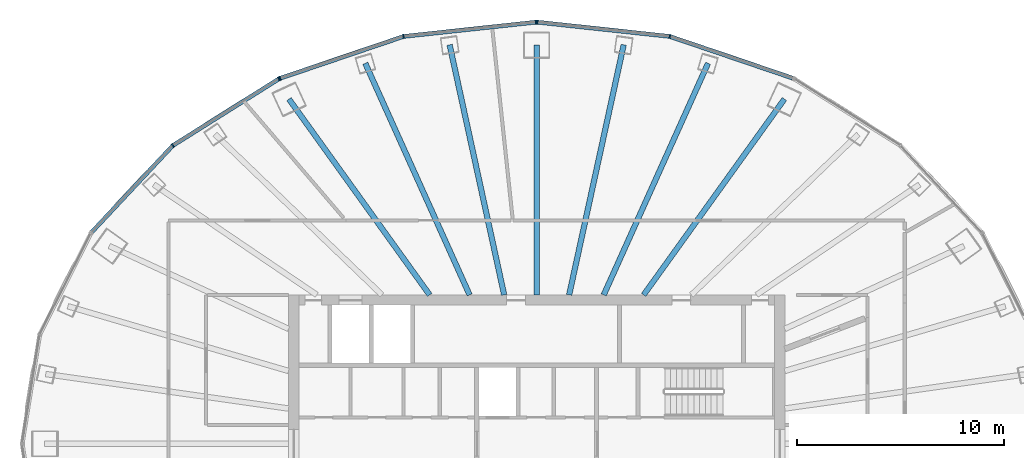
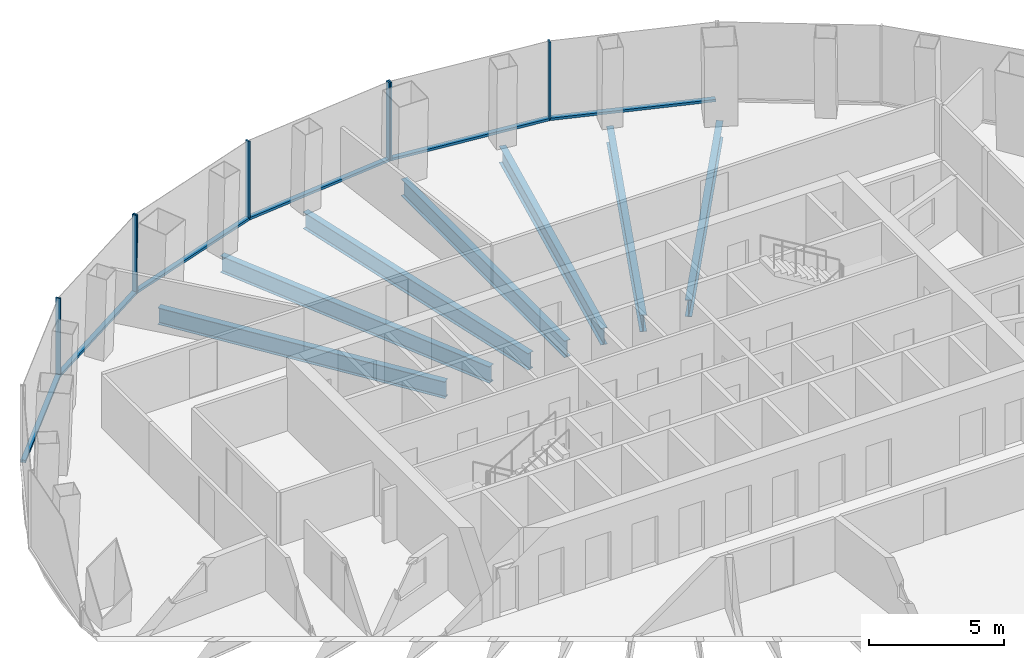
# One storey, part 5 of 12: 13 members, 7 beams, 3 elements without a shape of their own.
"""IFC4 building model written with IfcOpenShell, lengths in metres."""

from ifc_helpers import new_model, si_unit, direction, frame, origin, origin_2d, place, context, subcontext, project, spatial, rectangle, i_section, extrude, material, layer, layer_set, material_profile, profile_set, type_object, element, aggregate, save


model = new_model("IFC4")

# Units and contexts
model_context = context("Model", 3, precision=1e-05, world=origin(), true_north=direction((0.0, 1.0)))
body_context = subcontext(model_context, "Body", "Model", "MODEL_VIEW")
ifc_project = project(units=[si_unit("LENGTHUNIT", "METRE"), si_unit("AREAUNIT", "SQUARE_METRE"), si_unit("VOLUMEUNIT", "CUBIC_METRE"), si_unit("PLANEANGLEUNIT", "RADIAN"), si_unit("MASSUNIT", "GRAM", prefix="KILO")], contexts=[model_context])

# Site, building, storey
site_placement = place(None, origin())
site = spatial("IfcSite", under=ifc_project, at=site_placement, CompositionType="ELEMENT")
building_placement = place(site_placement, origin())
building = spatial("IfcBuilding", under=site, at=building_placement, Name="Siaravel Broadcast Tower", CompositionType="ELEMENT")
storey_placement = place(building_placement, frame((0.0, 0.0, 134.10009765625)))
storey = spatial("IfcBuildingStorey", under=building, at=storey_placement, Name="L32", CompositionType="ELEMENT", Elevation=134.10009765625)

# Beams
ifc_material_1 = material(Name="Steel S355", Category="steel")
ifc_material_profile_1 = material_profile(ifc_material_1, i_section(OverallWidth=0.26513671875, OverallDepth=0.75390625, WebThickness=0.0126953125, FlangeThickness=0.017578125, FilletRadius=0.0166015625, at=origin_2d()))
ifc_profile_set_1 = profile_set([ifc_material_profile_1], Name="Steel S355")
beam_type = type_object("IfcBeamType", Name="BM-UB 762x267x147", PredefinedType="BEAM", material=ifc_profile_set_1)
beam_1_placement = place(storey_placement, frame((11.980224609375, 16.669677734375, -0.527099609375), z_axis=(-0.58359636, -0.812043895, 0.0), x_axis=(0.812043895, -0.58359636, 0.0)))
element("IfcBeam", 1, at=beam_1_placement, inside=storey, type_object=beam_type, Name="Radial beam RB07", PredefinedType="BEAM", context=body_context, shape_type="SweptSolid", body=[
    extrude(i_section(OverallWidth=0.26513671875, OverallDepth=0.75390625, WebThickness=0.0126953125, FlangeThickness=0.017578125, FilletRadius=0.0166015625, at=origin_2d()), origin(), (0.0, 0.0, 1.0), 11.66162109375),
])
beam_2_placement = place(storey_placement, frame((8.2880859375, 18.39990234375, -0.527099609375), z_axis=(-0.410699345, -0.911770831, 0.0), x_axis=(0.911770831, -0.410699345, 0.0)))
element("IfcBeam", 2, at=beam_2_placement, inside=storey, type_object=beam_type, Name="Radial beam RB08", PredefinedType="BEAM", context=body_context, shape_type="SweptSolid", body=[
    extrude(i_section(OverallWidth=0.26513671875, OverallDepth=0.75390625, WebThickness=0.0126953125, FlangeThickness=0.017578125, FilletRadius=0.0166015625, at=origin_2d()), origin(), (0.0, 0.0, 1.0), 12.28369140625),
])
beam_3_placement = place(storey_placement, frame((4.209716796875, 19.294921875, -0.527099609375), z_axis=(-0.213168102, -0.977015537, 0.0), x_axis=(0.977015537, -0.213168102, 0.0)))
element("IfcBeam", 3, at=beam_3_placement, inside=storey, type_object=beam_type, Name="Radial beam RB09", PredefinedType="BEAM", context=body_context, shape_type="SweptSolid", body=[
    extrude(i_section(OverallWidth=0.26513671875, OverallDepth=0.75390625, WebThickness=0.0126953125, FlangeThickness=0.017578125, FilletRadius=0.0166015625, at=origin_2d()), origin(), (0.0, 0.0, 1.0), 12.37939453125),
])
beam_4_placement = place(storey_placement, frame((0.0, 19.296630859375, -0.527099609375), z_axis=(0.0, -1.0, 0.0), x_axis=(1.0, 0.0, 0.0)))
element("IfcBeam", 4, at=beam_4_placement, inside=storey, type_object=beam_type, Name="Radial beam RB10", PredefinedType="BEAM", context=body_context, shape_type="SweptSolid", body=[
    extrude(i_section(OverallWidth=0.26513671875, OverallDepth=0.75390625, WebThickness=0.0126953125, FlangeThickness=0.017578125, FilletRadius=0.0166015625, at=origin_2d()), origin(), (0.0, 0.0, 1.0), 12.0966796875),
])
beam_5_placement = place(storey_placement, frame((-4.209716796875, 19.294921875, -0.527099609375), z_axis=(0.213168102, -0.977015537, 0.0), x_axis=(0.977015537, 0.213168102, 0.0)))
element("IfcBeam", 5, at=beam_5_placement, inside=storey, type_object=beam_type, Name="Radial beam RB11", PredefinedType="BEAM", context=body_context, shape_type="SweptSolid", body=[
    extrude(i_section(OverallWidth=0.26513671875, OverallDepth=0.75390625, WebThickness=0.0126953125, FlangeThickness=0.017578125, FilletRadius=0.0166015625, at=origin_2d()), origin(), (0.0, 0.0, 1.0), 12.37939453125),
])
beam_6_placement = place(storey_placement, frame((-8.2880859375, 18.39990234375, -0.527099609375), z_axis=(0.410699345, -0.911770831, 0.0), x_axis=(0.911770831, 0.410699345, 0.0)))
element("IfcBeam", 6, at=beam_6_placement, inside=storey, type_object=beam_type, Name="Radial beam RB12", PredefinedType="BEAM", context=body_context, shape_type="SweptSolid", body=[
    extrude(i_section(OverallWidth=0.26513671875, OverallDepth=0.75390625, WebThickness=0.0126953125, FlangeThickness=0.017578125, FilletRadius=0.0166015625, at=origin_2d()), origin(), (0.0, 0.0, 1.0), 12.28369140625),
])
beam_7_placement = place(storey_placement, frame((-11.980224609375, 16.669677734375, -0.527099609375), z_axis=(0.58359636, -0.812043895, 0.0), x_axis=(0.812043895, 0.58359636, 0.0)))
element("IfcBeam", 7, at=beam_7_placement, inside=storey, type_object=beam_type, Name="Radial beam RB13", PredefinedType="BEAM", context=body_context, shape_type="SweptSolid", body=[
    extrude(i_section(OverallWidth=0.26513671875, OverallDepth=0.75390625, WebThickness=0.0126953125, FlangeThickness=0.017578125, FilletRadius=0.0166015625, at=origin_2d()), origin(), (0.0, 0.0, 1.0), 11.66162109375),
])

# Curtain wall, members
ifc_material_2 = material(Name="Aluminium 6063-T6", Category="aluminium")
ifc_layer = layer(ifc_material_2, 0.199951171875)
ifc_layer_set = layer_set([ifc_layer], Name="Aluminium 6063-T6")
curtain_wall_type = type_object("IfcCurtainWallType", Name="Unitised curtain wall, zone 2", PredefinedType="NOTDEFINED", material=ifc_layer_set)
curtain_wall_1_placement = place(storey_placement, origin())
curtain_wall_1 = element("IfcCurtainWall", 8, at=curtain_wall_1_placement, inside=storey, type_object=curtain_wall_type, Name="L32 Unitised curtain wall, zone 2 03", PredefinedType="NOTDEFINED")
ifc_material_profile_2 = material_profile(ifc_material_2, rectangle(XDim=0.199951171875, YDim=0.06494140625, at=origin_2d()))
ifc_profile_set_2 = profile_set([ifc_material_profile_2], Name="Aluminium 6063-T6")
member_type_1 = type_object("IfcMemberType", Name="CW-Z2 mullion", PredefinedType="MULLION", material=ifc_profile_set_2)
member_1_placement = place(storey_placement, frame((6.43896484375, 19.699951171875, 0.0), z_axis=(0.0, 0.0, 1.0), x_axis=(-0.215559096, -0.976490797, 0.0)))
member_1 = element("IfcMember", 9, at=member_1_placement, type_object=member_type_1, Name="CW-Z2 mullion 2", PredefinedType="MULLION", context=body_context, shape_type="SweptSolid", body=[
    extrude(rectangle(XDim=0.199951171875, YDim=0.06494140625, at=origin_2d()), origin(), (0.0, 0.0, 1.0), 3.5498046875),
])
member_2_placement = place(storey_placement, frame((0.0322265625, 20.390869140625, 0.0), z_axis=(0.0, 0.0, 1.0), x_axis=(-0.107218035, -0.994235532, 0.0)))
member_2 = element("IfcMember", 10, at=member_2_placement, type_object=member_type_1, Name="CW-Z2 mullion 3", PredefinedType="MULLION", context=body_context, shape_type="SweptSolid", body=[
    extrude(rectangle(XDim=0.199951171875, YDim=0.06494140625, at=origin_2d()), origin(), (0.0, 0.0, 1.0), 3.5498046875),
])

curtain_wall_2_placement = place(storey_placement, origin())
curtain_wall_2 = element("IfcCurtainWall", 11, at=curtain_wall_2_placement, inside=storey, type_object=curtain_wall_type, Name="L32 Unitised curtain wall, zone 2 04", PredefinedType="NOTDEFINED")
member_3_placement = place(storey_placement, frame((-0.0322265625, 20.390869140625, 0.0), z_axis=(0.0, 0.0, 1.0), x_axis=(0.107218035, -0.994235532, 0.0)))
member_3 = element("IfcMember", 12, at=member_3_placement, type_object=member_type_1, Name="CW-Z2 mullion 1", PredefinedType="MULLION", context=body_context, shape_type="SweptSolid", body=[
    extrude(rectangle(XDim=0.199951171875, YDim=0.06494140625, at=origin_2d()), origin(), (0.0, 0.0, 1.0), 3.5498046875),
])
member_4_placement = place(storey_placement, frame((-6.43896484375, 19.699951171875, 0.0), z_axis=(0.0, 0.0, 1.0), x_axis=(0.215559096, -0.976490797, 0.0)))
member_4 = element("IfcMember", 13, at=member_4_placement, type_object=member_type_1, Name="CW-Z2 mullion 2", PredefinedType="MULLION", context=body_context, shape_type="SweptSolid", body=[
    extrude(rectangle(XDim=0.199951171875, YDim=0.06494140625, at=origin_2d()), origin(), (0.0, 0.0, 1.0), 3.5498046875),
])
member_5_placement = place(storey_placement, frame((-12.408935546875, 17.67431640625, 0.0), z_axis=(0.0, 0.0, 1.0), x_axis=(0.321302097, -0.946976749, 0.0)))
member_5 = element("IfcMember", 14, at=member_5_placement, type_object=member_type_1, Name="CW-Z2 mullion 3", PredefinedType="MULLION", context=body_context, shape_type="SweptSolid", body=[
    extrude(rectangle(XDim=0.199951171875, YDim=0.06494140625, at=origin_2d()), origin(), (0.0, 0.0, 1.0), 3.5498046875),
])

curtain_wall_3_placement = place(storey_placement, origin())
curtain_wall_3 = element("IfcCurtainWall", 15, at=curtain_wall_3_placement, inside=storey, type_object=curtain_wall_type, Name="L32 Unitised curtain wall, zone 2 05", PredefinedType="NOTDEFINED")
member_6_placement = place(storey_placement, frame((-12.46728515625, 17.646484375, 0.0), z_axis=(0.0, 0.0, 1.0), x_axis=(0.532151141, -0.846649374, 0.0)))
member_6 = element("IfcMember", 16, at=member_6_placement, type_object=member_type_1, Name="CW-Z2 mullion 1", PredefinedType="MULLION", context=body_context, shape_type="SweptSolid", body=[
    extrude(rectangle(XDim=0.199951171875, YDim=0.06494140625, at=origin_2d()), origin(), (0.0, 0.0, 1.0), 3.5498046875),
])
member_7_placement = place(storey_placement, frame((-17.593994140625, 14.42431640625, 0.0), z_axis=(0.0, 0.0, 1.0), x_axis=(0.63622045, -0.771507317, 0.0)))
member_7 = element("IfcMember", 17, at=member_7_placement, type_object=member_type_1, Name="CW-Z2 mullion 2", PredefinedType="MULLION", context=body_context, shape_type="SweptSolid", body=[
    extrude(rectangle(XDim=0.199951171875, YDim=0.06494140625, at=origin_2d()), origin(), (0.0, 0.0, 1.0), 3.5498046875),
])

# Member
ifc_material_profile_3 = material_profile(ifc_material_2, rectangle(XDim=0.199951171875, YDim=0.110107421875, at=origin_2d()))
ifc_profile_set_3 = profile_set([ifc_material_profile_3], Name="Aluminium 6063-T6")
member_type_2 = type_object("IfcMemberType", Name="CW-Z2 transom", PredefinedType="USERDEFINED", material=ifc_profile_set_3)
member_8_placement = place(storey_placement, frame((12.37841796875, 17.684814453125, 0.054931640625), z_axis=(-0.946983377, 0.32128256, 0.0), x_axis=(-0.32128256, -0.946983377, 0.0)))
member_8 = element("IfcMember", 18, at=member_8_placement, type_object=member_type_2, Name="CW-Z2 transom 1", ObjectType="TRANSOM", PredefinedType="USERDEFINED", context=body_context, shape_type="SweptSolid", body=[
    extrude(rectangle(XDim=0.199951171875, YDim=0.110107421875, at=origin_2d()), origin(), (0.0, 0.0, 1.0), 6.239501953125),
])

member_9_placement = place(storey_placement, frame((6.40673828125, 19.703369140625, 0.054931640625), z_axis=(-0.994236965, 0.107204748, 0.0), x_axis=(-0.107204748, -0.994236965, 0.0)))
member_9 = element("IfcMember", 19, at=member_9_placement, type_object=member_type_2, Name="CW-Z2 transom 2", ObjectType="TRANSOM", PredefinedType="USERDEFINED", context=body_context, shape_type="SweptSolid", body=[
    extrude(rectangle(XDim=0.199951171875, YDim=0.110107421875, at=origin_2d()), origin(), (0.0, 0.0, 1.0), 6.37890625),
])

aggregate(curtain_wall_1, [member_1, member_2, member_8, member_9])

member_10_placement = place(storey_placement, frame((-0.064697265625, 20.38720703125, 0.054931640625), z_axis=(-0.994236965, -0.107204748, 0.0), x_axis=(0.107204748, -0.994236965, 0.0)))
member_10 = element("IfcMember", 20, at=member_10_placement, type_object=member_type_2, Name="CW-Z2 transom 1", ObjectType="TRANSOM", PredefinedType="USERDEFINED", context=body_context, shape_type="SweptSolid", body=[
    extrude(rectangle(XDim=0.199951171875, YDim=0.110107421875, at=origin_2d()), origin(), (0.0, 0.0, 1.0), 6.37890625),
])

member_11_placement = place(storey_placement, frame((-6.4697265625, 19.689453125, 0.054931640625), z_axis=(-0.946983377, -0.32128256, 0.0), x_axis=(0.32128256, -0.946983377, 0.0)))
member_11 = element("IfcMember", 21, at=member_11_placement, type_object=member_type_2, Name="CW-Z2 transom 2", ObjectType="TRANSOM", PredefinedType="USERDEFINED", context=body_context, shape_type="SweptSolid", body=[
    extrude(rectangle(XDim=0.199951171875, YDim=0.110107421875, at=origin_2d()), origin(), (0.0, 0.0, 1.0), 6.239501953125),
])

aggregate(curtain_wall_2, [member_3, member_4, member_5, member_10, member_11])

member_12_placement = place(storey_placement, frame((-12.494873046875, 17.62939453125, 0.054931640625), z_axis=(-0.84664232, -0.532162364, 0.0), x_axis=(0.532162364, -0.84664232, 0.0)))
member_12 = element("IfcMember", 22, at=member_12_placement, type_object=member_type_2, Name="CW-Z2 transom 1", ObjectType="TRANSOM", PredefinedType="USERDEFINED", context=body_context, shape_type="SweptSolid", body=[
    extrude(rectangle(XDim=0.199951171875, YDim=0.110107421875, at=origin_2d()), origin(), (0.0, 0.0, 1.0), 5.990234375),
])

member_13_placement = place(storey_placement, frame((-17.6162109375, 14.400634765625, 0.054931640625), z_axis=(-0.683644181, -0.72981548, 0.0), x_axis=(0.72981548, -0.683644181, 0.0)))
member_13 = element("IfcMember", 23, at=member_13_placement, type_object=member_type_2, Name="CW-Z2 transom 2", ObjectType="TRANSOM", PredefinedType="USERDEFINED", context=body_context, shape_type="SweptSolid", body=[
    extrude(rectangle(XDim=0.199951171875, YDim=0.110107421875, at=origin_2d()), origin(), (0.0, 0.0, 1.0), 5.689697265625),
])

aggregate(curtain_wall_3, [member_6, member_7, member_12, member_13])

save(model, "model.ifc")
